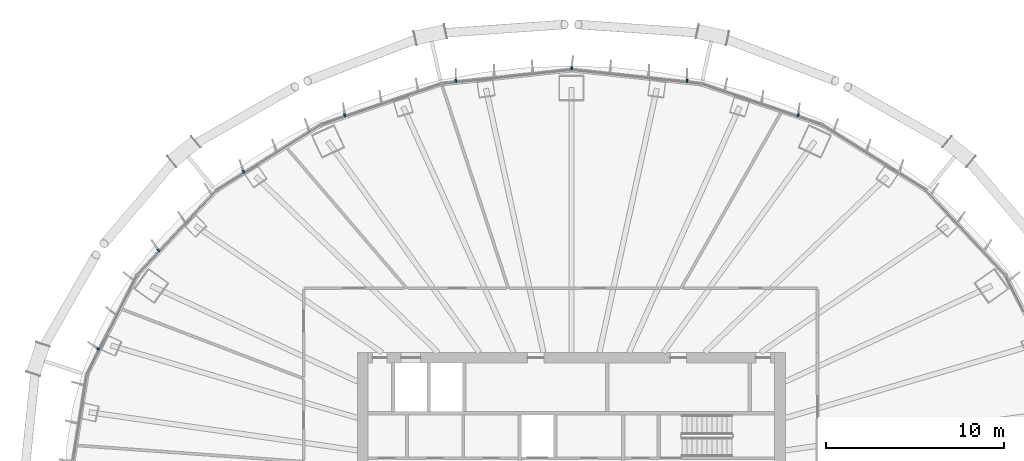
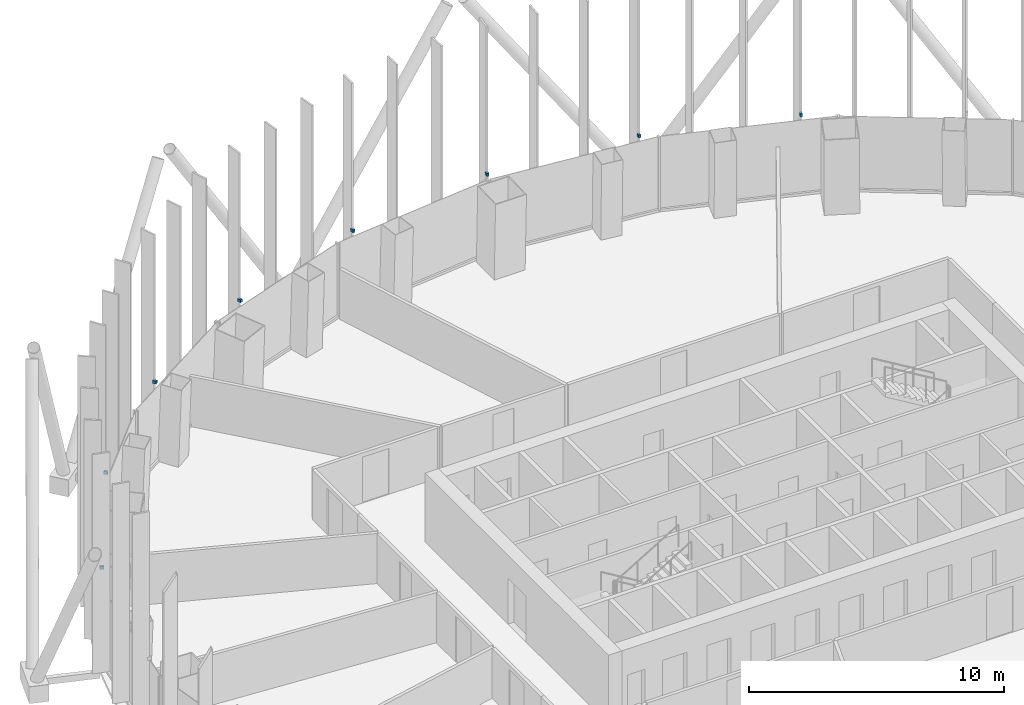
# One storey, part 17 of 22: 8 discrete accessories.
"""IFC4 building model written with IfcOpenShell, lengths in metres."""

from ifc_helpers import new_model, si_unit, direction, frame, origin, origin_2d, place, context, subcontext, project, spatial, rectangle, extrude, material, type_object, element, save


model = new_model("IFC4")

# Units and contexts
model_context = context("Model", 3, precision=1e-05, world=origin(), true_north=direction((0.0, 1.0)))
body_context = subcontext(model_context, "Body", "Model", "MODEL_VIEW")
ifc_project = project(units=[si_unit("LENGTHUNIT", "METRE"), si_unit("AREAUNIT", "SQUARE_METRE"), si_unit("VOLUMEUNIT", "CUBIC_METRE"), si_unit("PLANEANGLEUNIT", "RADIAN"), si_unit("MASSUNIT", "GRAM", prefix="KILO")], contexts=[model_context])

# Site, building, storey
site_placement = place(None, origin())
site = spatial("IfcSite", under=ifc_project, at=site_placement, CompositionType="ELEMENT")
building_placement = place(site_placement, origin())
building = spatial("IfcBuilding", under=site, at=building_placement, Name="Siaravel Broadcast Tower", CompositionType="ELEMENT")
storey_placement = place(building_placement, frame((0.0, 0.0, 37.10009765625)))
storey = spatial("IfcBuildingStorey", under=building, at=storey_placement, Name="L07", CompositionType="ELEMENT", Elevation=37.10009765625)

# Discrete accessories
ifc_material = material(Name="Stainless steel 316", Category="steel")
discrete_accessory_type = type_object("IfcDiscreteAccessoryType", Name="Stainless steel fin bracket", PredefinedType="USERDEFINED", material=ifc_material)
for number, where, z_axis, x_axis, name in (
    (1, (12.70947265625, 20.505859375, 3.68994140625), (0.0, 0.0, 1.0), (0.321300635, 0.946977245, 0.0), "Fin bracket L07-13"),
    (2, (6.48486328125, 22.430419921875, 3.68994140625), (0.0, 0.0, 1.0), (0.107216783, 0.994235667, 0.0), "Fin bracket L07-16"),
    (3, (0.009521484375, 23.12890625, 3.68994140625), (0.0, 0.0, 1.0), (0.107216783, 0.994235667, 0.0), "Fin bracket L07-19"),
    (4, (-6.48486328125, 22.430419921875, 3.68994140625), (0.0, 0.0, 1.0), (-0.107216783, 0.994235667, 0.0), "Fin bracket L07-22"),
    (5, (-12.70947265625, 20.505859375, 3.68994140625), (0.0, 0.0, 1.0), (-0.321300635, 0.946977245, 0.0), "Fin bracket L07-25"),
    (6, (-18.387939453125, 17.3369140625, 3.68994140625), (0.0, 0.0, 1.0), (-0.532149452, 0.846650436, 0.0), "Fin bracket L07-28"),
    (7, (-23.154052734375, 12.92822265625, 3.68994140625), (0.0, 0.0, 1.0), (-0.729804415, 0.683655992, 0.0), "Fin bracket L07-31"),
    (8, (-26.535400390625, 7.394775390625, 3.68994140625), (0.0, 0.0, 1.0), (-0.892392151, 0.451260732, 0.0), "Fin bracket L07-34"),
):
    element("IfcDiscreteAccessory", number, at=place(storey_placement, frame(where, z_axis=z_axis, x_axis=x_axis)), inside=storey, type_object=discrete_accessory_type, Name=name, ObjectType="BRACKET", PredefinedType="USERDEFINED", context=body_context, shape_type="SweptSolid", body=[
        extrude(rectangle(XDim=0.159912109375, YDim=0.10009765625, at=origin_2d()), origin(), (0.0, 0.0, 1.0), 0.139892578125),
    ])

save(model, "model.ifc")
